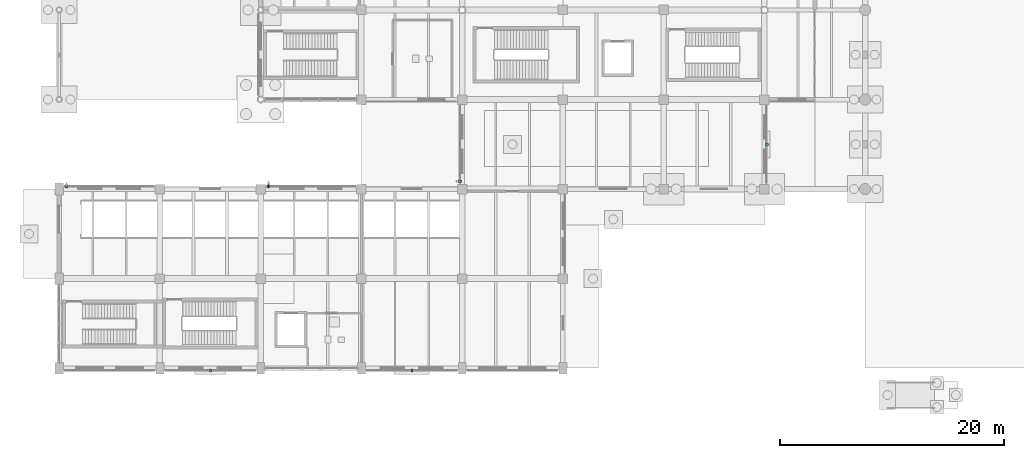
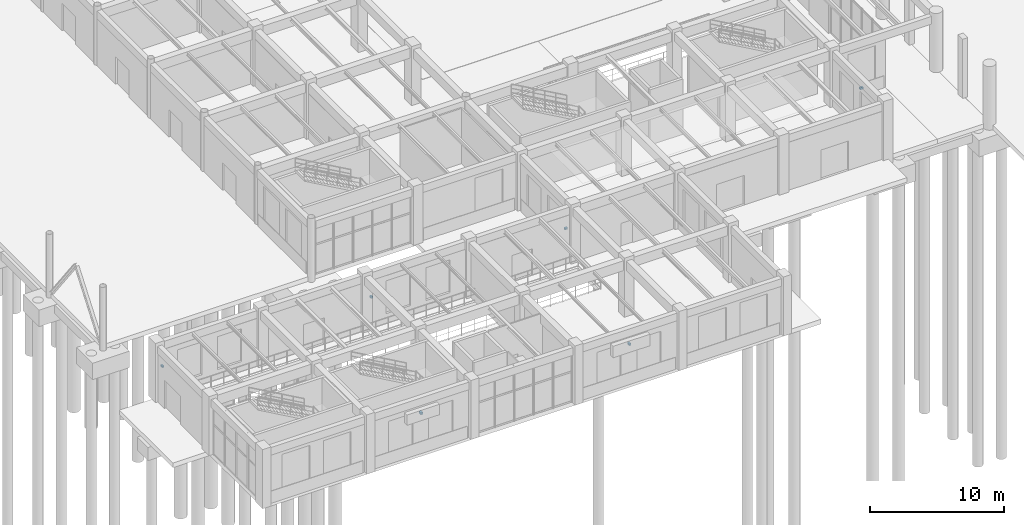
# One storey, part 104 of 121: 6 discrete accessories.
"""IFC4 building model written with IfcOpenShell, lengths in metres."""

from ifc_helpers import new_model, si_unit, derived_unit, direction, frame, origin, origin_2d, place, context, subcontext, project, spatial, rectangle, extrude, material, type_object, element, save


model = new_model("IFC4")

# Units and contexts
model_context = context("Model", 3, precision=1e-05, world=origin(), true_north=direction((0.0, 1.0)))
body_context = subcontext(model_context, "Body", "Model", "MODEL_VIEW")
ifc_project = project(units=[si_unit("LENGTHUNIT", "METRE"), si_unit("AREAUNIT", "SQUARE_METRE"), si_unit("VOLUMEUNIT", "CUBIC_METRE"), si_unit("PLANEANGLEUNIT", "RADIAN"), si_unit("MASSUNIT", "GRAM", prefix="KILO"), derived_unit("THERMALTRANSMITTANCEUNIT", [(si_unit("MASSUNIT", "GRAM", prefix="KILO"), 1), (si_unit("TIMEUNIT", "SECOND"), -3), (si_unit("THERMODYNAMICTEMPERATUREUNIT", "KELVIN"), -1)])], contexts=[model_context])

# Site, building, storey
site_placement = place(None, origin())
site = spatial("IfcSite", under=ifc_project, at=site_placement, CompositionType="ELEMENT")
building_placement = place(site_placement, origin())
building = spatial("IfcBuilding", under=site, at=building_placement, Name="Zhenchuan Archway Interchange", CompositionType="ELEMENT")
storey_placement = place(building_placement, origin())
storey = spatial("IfcBuildingStorey", under=building, at=storey_placement, Name="L00", CompositionType="ELEMENT", Elevation=0.0)

# Discrete accessories
ifc_material = material(Name="Stainless Steel 316", Category="steel")
discrete_accessory_type_1 = type_object("IfcDiscreteAccessoryType", Name="BRK_SHD_1", PredefinedType="BRACKET", material=ifc_material)
for number, where, z_axis, x_axis, name in (
    (1, (35.780029296875, 16.702880859375, 2.4501953125), (0.0, 0.0, 1.0), (0.0, 1.0, 0.0), "Solar fin stainless fixing bracket L00-001"),
    (2, (0.653076171875, 16.25, 2.4501953125), (0.0, 0.0, 1.0), (1.0, 0.0, 0.0), "Solar fin stainless fixing bracket L00-010"),
    (3, (18.702880859375, 16.25, 2.4501953125), (0.0, 0.0, 1.0), (1.0, 0.0, 0.0), "Solar fin stainless fixing bracket L00-011"),
):
    element("IfcDiscreteAccessory", number, at=place(storey_placement, frame(where, z_axis=z_axis, x_axis=x_axis)), inside=storey, type_object=discrete_accessory_type_1, Name=name, PredefinedType="BRACKET", context=body_context, shape_type="SweptSolid", body=[
        extrude(rectangle(XDim=0.159912109375, YDim=0.239990234375, at=origin_2d()), origin(), (0.0, 0.0, 1.0), 0.159912109375),
    ])
discrete_accessory_type_2 = type_object("IfcDiscreteAccessoryType", Name="BRK_SHD_2", PredefinedType="BRACKET", material=ifc_material)
for number, where, z_axis, x_axis, name in (
    (4, (63.219970703125, 20.0, 3.66015625), (0.0, 0.0, 1.0), (0.0, -1.0, 0.0), "Storm-louvre stainless fixing bracket L00-007"),
    (5, (31.5, -0.219970703125, 3.66015625), (0.0, 0.0, 1.0), (-1.0, 0.0, 0.0), "Storm-louvre stainless fixing bracket L00-008"),
    (6, (13.5, -0.219970703125, 3.66015625), (0.0, 0.0, 1.0), (-1.0, 0.0, 0.0), "Storm-louvre stainless fixing bracket L00-009"),
):
    element("IfcDiscreteAccessory", number, at=place(storey_placement, frame(where, z_axis=z_axis, x_axis=x_axis)), inside=storey, type_object=discrete_accessory_type_2, Name=name, PredefinedType="BRACKET", context=body_context, shape_type="SweptSolid", body=[
        extrude(rectangle(XDim=0.179931640625, YDim=0.280029296875, at=origin_2d()), origin(), (0.0, 0.0, 1.0), 0.179931640625),
    ])

save(model, "model.ifc")
